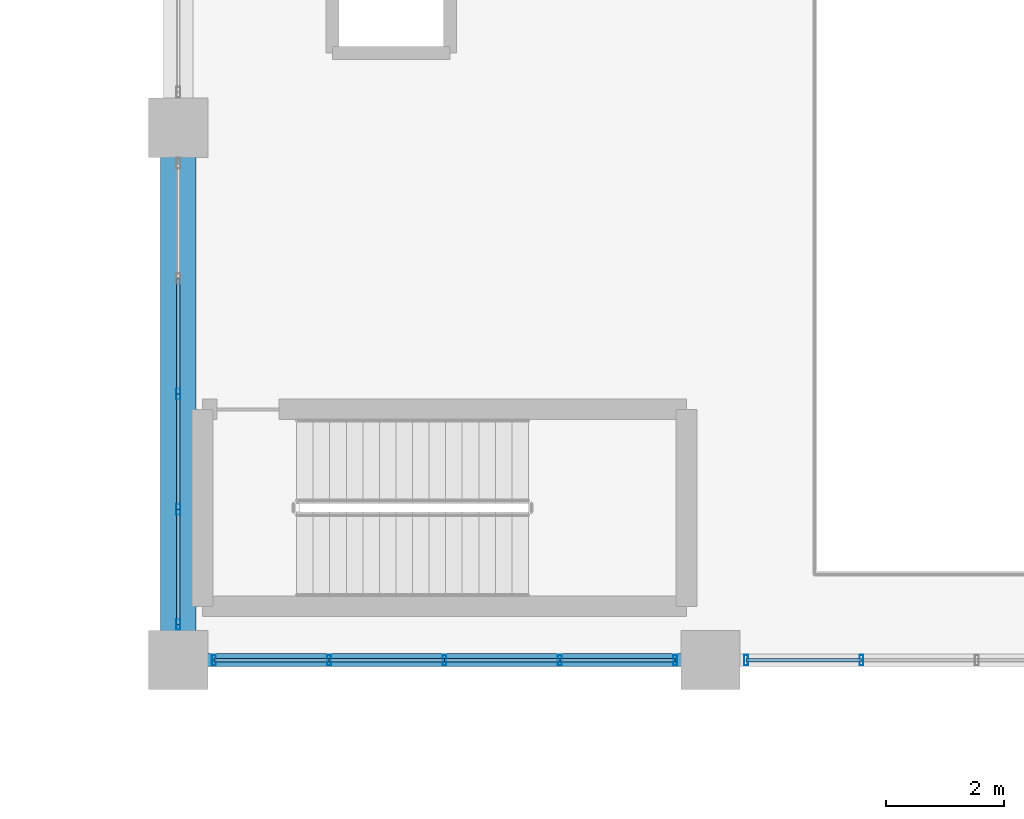
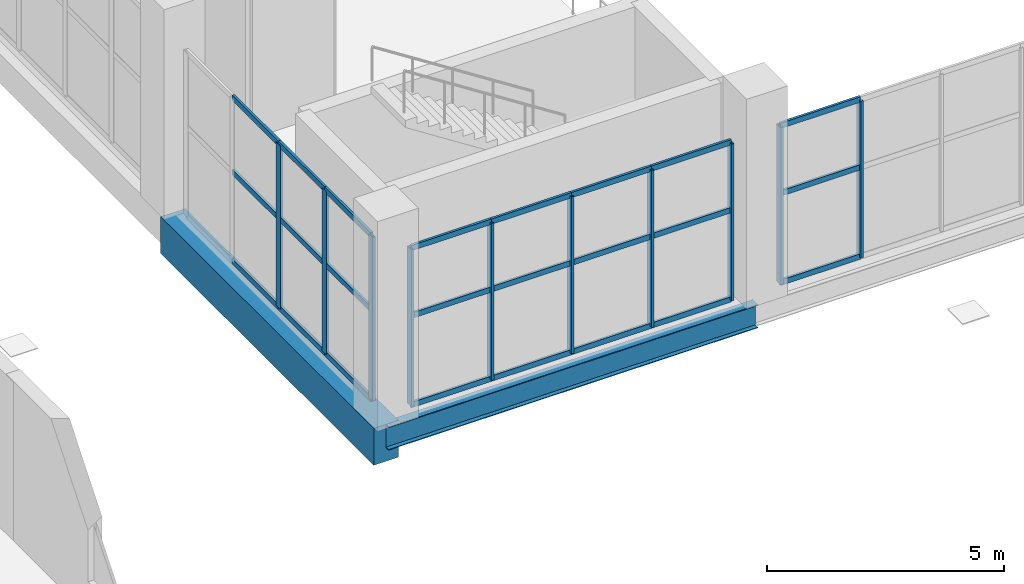
# One storey, part 14 of 147: 34 members, 2 beams, 3 elements without a shape of their own.
"""IFC4 building model written with IfcOpenShell, lengths in metres."""

from ifc_helpers import new_model, si_unit, direction, frame, origin, origin_2d, place, context, subcontext, project, spatial, rectangle, hollow_rectangle, i_section, extrude, material, layer, layer_set, material_profile, profile_set, type_object, element, aggregate, save


model = new_model("IFC4")

# Units and contexts
model_context = context("Model", 3, precision=1e-05, world=origin(), true_north=direction((0.0, 1.0)))
body_context = subcontext(model_context, "Body", "Model", "MODEL_VIEW")
ifc_project = project(units=[si_unit("LENGTHUNIT", "METRE"), si_unit("AREAUNIT", "SQUARE_METRE"), si_unit("VOLUMEUNIT", "CUBIC_METRE"), si_unit("PLANEANGLEUNIT", "RADIAN"), si_unit("MASSUNIT", "GRAM", prefix="KILO")], contexts=[model_context])

# Site, building, storey
site_placement = place(None, origin())
site = spatial("IfcSite", under=ifc_project, at=site_placement, CompositionType="ELEMENT")
building_placement = place(site_placement, origin())
building = spatial("IfcBuilding", under=site, at=building_placement, Name="Sundgate Opera House", CompositionType="ELEMENT")
storey_placement = place(building_placement, frame((0.0, 0.0, 6.0)))
storey = spatial("IfcBuildingStorey", under=building, at=storey_placement, Name="L01", CompositionType="ELEMENT", Elevation=6.0)

# Beams
ifc_material_1 = material(Name="Steel S355J2", Category="steel")
ifc_material_profile_1 = material_profile(ifc_material_1, i_section(OverallWidth=0.219970703125, OverallDepth=0.60009765625, WebThickness=0.011962890625, FlangeThickness=0.01904296875, at=origin_2d()), Name="IPE 600")
ifc_profile_set_1 = profile_set([ifc_material_profile_1], Name="Steel S355J2")
beam_type_1 = type_object("IfcBeamType", Name="BM-GR-IPE600", PredefinedType="BEAM", material=ifc_profile_set_1)
beam_1_placement = place(storey_placement, frame((36.0, 42.0, -0.60009765625), z_axis=(1.0, 0.0, 0.0), x_axis=(0.0, 1.0, 0.0)))
element("IfcBeam", 1, at=beam_1_placement, inside=storey, type_object=beam_type_1, Name="L01 Primary E-W Girder B1328", PredefinedType="BEAM", context=body_context, shape_type="SweptSolid", body=[
    extrude(i_section(OverallWidth=0.219970703125, OverallDepth=0.60009765625, WebThickness=0.011962890625, FlangeThickness=0.01904296875, at=origin_2d()), origin(), (0.0, 0.0, 1.0), 9.0),
])
ifc_material_2 = material(Name="Concrete C40/50", Category="concrete")
ifc_material_profile_2 = material_profile(ifc_material_2, rectangle(XDim=0.60009765625, YDim=0.949951171875, at=origin_2d()), Name="RC 600x950")
ifc_profile_set_2 = profile_set([ifc_material_profile_2], Name="Concrete C40/50")
beam_type_2 = type_object("IfcBeamType", Name="BM-RC-600x950", PredefinedType="BEAM", material=ifc_profile_set_2)
beam_2_placement = place(storey_placement, frame((36.0, 42.0, -0.77490234375), z_axis=(0.0, 1.0, 0.0), x_axis=(-1.0, 0.0, 0.0)))
element("IfcBeam", 2, at=beam_2_placement, inside=storey, type_object=beam_type_2, Name="L01 Primary N-S Girder B1111", PredefinedType="BEAM", context=body_context, shape_type="SweptSolid", body=[
    extrude(rectangle(XDim=0.60009765625, YDim=0.949951171875, at=origin_2d()), origin(), (0.0, 0.0, 1.0), 9.0),
])

# Curtain wall, members
ifc_material_3 = material(Name="Anodized aluminium and low-iron glass", Category="aluminium")
ifc_layer = layer(ifc_material_3, 0.179931640625)
ifc_layer_set = layer_set([ifc_layer], Name="Anodized aluminium and low-iron glass")
curtain_wall_type = type_object("IfcCurtainWallType", Name="CW-FOYER-GLASS", PredefinedType="NOTDEFINED", material=ifc_layer_set)
curtain_wall_1_placement = place(storey_placement, origin())
curtain_wall_1 = element("IfcCurtainWall", 3, at=curtain_wall_1_placement, inside=storey, type_object=curtain_wall_type, Name="L01 Curtain Wall CW011", PredefinedType="NOTDEFINED")
ifc_material_4 = material(Name="Anodized aluminium EN AW-6063", Category="aluminium")
ifc_material_profile_3 = material_profile(ifc_material_4, hollow_rectangle(XDim=0.06494140625, YDim=0.179931640625, WallThickness=0.00390625, at=origin_2d()), Name="CWM 180x65x4")
ifc_profile_set_3 = profile_set([ifc_material_profile_3], Name="Anodized aluminium EN AW-6063")
member_type_1 = type_object("IfcMemberType", Name="CWM-ALU-180x65", PredefinedType="MULLION", material=ifc_profile_set_3)
member_1_placement = place(storey_placement, frame((44.39990234375, 42.0, 0.0), z_axis=(0.0, 0.0, 1.0), x_axis=(1.0, 0.0, 0.0)))
member_1 = element("IfcMember", 4, at=member_1_placement, type_object=member_type_1, Name="CW011 Mullion 1", PredefinedType="MULLION", context=body_context, shape_type="SweptSolid", body=[
    extrude(hollow_rectangle(XDim=0.06494140625, YDim=0.179931640625, WallThickness=0.00390625, at=origin_2d()), origin(), (0.0, 0.0, 1.0), 4.044921875),
])
member_2_placement = place(storey_placement, frame((42.449951171875, 42.0, 0.0), z_axis=(0.0, 0.0, 1.0), x_axis=(1.0, 0.0, 0.0)))
member_2 = element("IfcMember", 5, at=member_2_placement, type_object=member_type_1, Name="CW011 Mullion 2", PredefinedType="MULLION", context=body_context, shape_type="SweptSolid", body=[
    extrude(hollow_rectangle(XDim=0.06494140625, YDim=0.179931640625, WallThickness=0.00390625, at=origin_2d()), origin(), (0.0, 0.0, 1.0), 4.044921875),
])
member_3_placement = place(storey_placement, frame((40.5, 42.0, 0.0), z_axis=(0.0, 0.0, 1.0), x_axis=(1.0, 0.0, 0.0)))
member_3 = element("IfcMember", 6, at=member_3_placement, type_object=member_type_1, Name="CW011 Mullion 3", PredefinedType="MULLION", context=body_context, shape_type="SweptSolid", body=[
    extrude(hollow_rectangle(XDim=0.06494140625, YDim=0.179931640625, WallThickness=0.00390625, at=origin_2d()), origin(), (0.0, 0.0, 1.0), 4.044921875),
])
member_4_placement = place(storey_placement, frame((38.550048828125, 42.0, 0.0), z_axis=(0.0, 0.0, 1.0), x_axis=(1.0, 0.0, 0.0)))
member_4 = element("IfcMember", 7, at=member_4_placement, type_object=member_type_1, Name="CW011 Mullion 4", PredefinedType="MULLION", context=body_context, shape_type="SweptSolid", body=[
    extrude(hollow_rectangle(XDim=0.06494140625, YDim=0.179931640625, WallThickness=0.00390625, at=origin_2d()), origin(), (0.0, 0.0, 1.0), 4.044921875),
])
member_5_placement = place(storey_placement, frame((36.60009765625, 42.0, 0.0), z_axis=(0.0, 0.0, 1.0), x_axis=(1.0, 0.0, 0.0)))
member_5 = element("IfcMember", 8, at=member_5_placement, type_object=member_type_1, Name="CW011 Mullion 5", PredefinedType="MULLION", context=body_context, shape_type="SweptSolid", body=[
    extrude(hollow_rectangle(XDim=0.06494140625, YDim=0.179931640625, WallThickness=0.00390625, at=origin_2d()), origin(), (0.0, 0.0, 1.0), 4.044921875),
])

curtain_wall_2_placement = place(storey_placement, origin())
curtain_wall_2 = element("IfcCurtainWall", 9, at=curtain_wall_2_placement, inside=storey, type_object=curtain_wall_type, Name="L01 Curtain Wall CW012", PredefinedType="NOTDEFINED")
member_6_placement = place(storey_placement, frame((47.550048828125, 42.0, 0.0), z_axis=(0.0, 0.0, 1.0), x_axis=(1.0, 0.0, 0.0)))
member_6 = element("IfcMember", 10, at=member_6_placement, type_object=member_type_1, Name="CW012 Mullion 4", PredefinedType="MULLION", context=body_context, shape_type="SweptSolid", body=[
    extrude(hollow_rectangle(XDim=0.06494140625, YDim=0.179931640625, WallThickness=0.00390625, at=origin_2d()), origin(), (0.0, 0.0, 1.0), 4.044921875),
])
member_7_placement = place(storey_placement, frame((45.60009765625, 42.0, 0.0), z_axis=(0.0, 0.0, 1.0), x_axis=(1.0, 0.0, 0.0)))
member_7 = element("IfcMember", 11, at=member_7_placement, type_object=member_type_1, Name="CW012 Mullion 5", PredefinedType="MULLION", context=body_context, shape_type="SweptSolid", body=[
    extrude(hollow_rectangle(XDim=0.06494140625, YDim=0.179931640625, WallThickness=0.00390625, at=origin_2d()), origin(), (0.0, 0.0, 1.0), 4.044921875),
])

curtain_wall_3_placement = place(storey_placement, origin())
curtain_wall_3 = element("IfcCurtainWall", 12, at=curtain_wall_3_placement, inside=storey, type_object=curtain_wall_type, Name="L01 Curtain Wall CW019", PredefinedType="NOTDEFINED")
member_8_placement = place(storey_placement, frame((36.0, 46.5, 0.0), z_axis=(0.0, 0.0, 1.0), x_axis=(1.0, 0.0, 0.0)))
member_8 = element("IfcMember", 13, at=member_8_placement, type_object=member_type_1, Name="CW019 Mullion 3", PredefinedType="MULLION", context=body_context, shape_type="SweptSolid", body=[
    extrude(hollow_rectangle(XDim=0.06494140625, YDim=0.179931640625, WallThickness=0.00390625, at=origin_2d()), origin(), (0.0, 0.0, 1.0), 4.215087890625),
])
member_9_placement = place(storey_placement, frame((36.0, 44.550048828125, 0.0), z_axis=(0.0, 0.0, 1.0), x_axis=(1.0, 0.0, 0.0)))
member_9 = element("IfcMember", 14, at=member_9_placement, type_object=member_type_1, Name="CW019 Mullion 4", PredefinedType="MULLION", context=body_context, shape_type="SweptSolid", body=[
    extrude(hollow_rectangle(XDim=0.06494140625, YDim=0.179931640625, WallThickness=0.00390625, at=origin_2d()), origin(), (0.0, 0.0, 1.0), 4.215087890625),
])
member_10_placement = place(storey_placement, frame((36.0, 42.60009765625, 0.0), z_axis=(0.0, 0.0, 1.0), x_axis=(1.0, 0.0, 0.0)))
member_10 = element("IfcMember", 15, at=member_10_placement, type_object=member_type_1, Name="CW019 Mullion 5", PredefinedType="MULLION", context=body_context, shape_type="SweptSolid", body=[
    extrude(hollow_rectangle(XDim=0.06494140625, YDim=0.179931640625, WallThickness=0.00390625, at=origin_2d()), origin(), (0.0, 0.0, 1.0), 4.215087890625),
])

# Member
ifc_material_5 = material(Name="Anodized aluminium EN AW-6063", Category="aluminium")
ifc_material_profile_4 = material_profile(ifc_material_5, hollow_rectangle(XDim=0.06005859375, YDim=0.139892578125, WallThickness=0.00390625, at=origin_2d()), Name="CWT 140x60x4")
ifc_profile_set_4 = profile_set([ifc_material_profile_4], Name="Anodized aluminium EN AW-6063")
member_type_2 = type_object("IfcMemberType", Name="CWT-ALU-140x60", PredefinedType="USERDEFINED", material=ifc_profile_set_4)
member_11_placement = place(storey_placement, frame((44.39990234375, 42.0, 0.0), z_axis=(-1.0, 0.0, 0.0), x_axis=(0.0, -1.0, 0.0)))
member_11 = element("IfcMember", 16, at=member_11_placement, type_object=member_type_2, Name="CW011 Transom 1", ObjectType="TRANSOM", PredefinedType="USERDEFINED", context=body_context, shape_type="SweptSolid", body=[
    extrude(hollow_rectangle(XDim=0.06005859375, YDim=0.139892578125, WallThickness=0.00390625, at=origin_2d()), origin(), (0.0, 0.0, 1.0), 1.949951171875),
])

member_12_placement = place(storey_placement, frame((44.39990234375, 42.0, 2.300048828125), z_axis=(-1.0, 0.0, 0.0), x_axis=(0.0, -1.0, 0.0)))
member_12 = element("IfcMember", 17, at=member_12_placement, type_object=member_type_2, Name="CW011 Transom 2", ObjectType="TRANSOM", PredefinedType="USERDEFINED", context=body_context, shape_type="SweptSolid", body=[
    extrude(hollow_rectangle(XDim=0.06005859375, YDim=0.139892578125, WallThickness=0.00390625, at=origin_2d()), origin(), (0.0, 0.0, 1.0), 1.949951171875),
])

member_13_placement = place(storey_placement, frame((44.39990234375, 42.0, 4.044921875), z_axis=(-1.0, 0.0, 0.0), x_axis=(0.0, -1.0, 0.0)))
member_13 = element("IfcMember", 18, at=member_13_placement, type_object=member_type_2, Name="CW011 Transom 3", ObjectType="TRANSOM", PredefinedType="USERDEFINED", context=body_context, shape_type="SweptSolid", body=[
    extrude(hollow_rectangle(XDim=0.06005859375, YDim=0.139892578125, WallThickness=0.00390625, at=origin_2d()), origin(), (0.0, 0.0, 1.0), 1.949951171875),
])

member_14_placement = place(storey_placement, frame((42.449951171875, 42.0, 0.0), z_axis=(-1.0, 0.0, 0.0), x_axis=(0.0, -1.0, 0.0)))
member_14 = element("IfcMember", 19, at=member_14_placement, type_object=member_type_2, Name="CW011 Transom 4", ObjectType="TRANSOM", PredefinedType="USERDEFINED", context=body_context, shape_type="SweptSolid", body=[
    extrude(hollow_rectangle(XDim=0.06005859375, YDim=0.139892578125, WallThickness=0.00390625, at=origin_2d()), origin(), (0.0, 0.0, 1.0), 1.949951171875),
])

member_15_placement = place(storey_placement, frame((42.449951171875, 42.0, 2.300048828125), z_axis=(-1.0, 0.0, 0.0), x_axis=(0.0, -1.0, 0.0)))
member_15 = element("IfcMember", 20, at=member_15_placement, type_object=member_type_2, Name="CW011 Transom 5", ObjectType="TRANSOM", PredefinedType="USERDEFINED", context=body_context, shape_type="SweptSolid", body=[
    extrude(hollow_rectangle(XDim=0.06005859375, YDim=0.139892578125, WallThickness=0.00390625, at=origin_2d()), origin(), (0.0, 0.0, 1.0), 1.949951171875),
])

member_16_placement = place(storey_placement, frame((42.449951171875, 42.0, 4.044921875), z_axis=(-1.0, 0.0, 0.0), x_axis=(0.0, -1.0, 0.0)))
member_16 = element("IfcMember", 21, at=member_16_placement, type_object=member_type_2, Name="CW011 Transom 6", ObjectType="TRANSOM", PredefinedType="USERDEFINED", context=body_context, shape_type="SweptSolid", body=[
    extrude(hollow_rectangle(XDim=0.06005859375, YDim=0.139892578125, WallThickness=0.00390625, at=origin_2d()), origin(), (0.0, 0.0, 1.0), 1.949951171875),
])

member_17_placement = place(storey_placement, frame((40.5, 42.0, 0.0), z_axis=(-1.0, 0.0, 0.0), x_axis=(0.0, -1.0, 0.0)))
member_17 = element("IfcMember", 22, at=member_17_placement, type_object=member_type_2, Name="CW011 Transom 7", ObjectType="TRANSOM", PredefinedType="USERDEFINED", context=body_context, shape_type="SweptSolid", body=[
    extrude(hollow_rectangle(XDim=0.06005859375, YDim=0.139892578125, WallThickness=0.00390625, at=origin_2d()), origin(), (0.0, 0.0, 1.0), 1.949951171875),
])

member_18_placement = place(storey_placement, frame((40.5, 42.0, 2.300048828125), z_axis=(-1.0, 0.0, 0.0), x_axis=(0.0, -1.0, 0.0)))
member_18 = element("IfcMember", 23, at=member_18_placement, type_object=member_type_2, Name="CW011 Transom 8", ObjectType="TRANSOM", PredefinedType="USERDEFINED", context=body_context, shape_type="SweptSolid", body=[
    extrude(hollow_rectangle(XDim=0.06005859375, YDim=0.139892578125, WallThickness=0.00390625, at=origin_2d()), origin(), (0.0, 0.0, 1.0), 1.949951171875),
])

member_19_placement = place(storey_placement, frame((40.5, 42.0, 4.044921875), z_axis=(-1.0, 0.0, 0.0), x_axis=(0.0, -1.0, 0.0)))
member_19 = element("IfcMember", 24, at=member_19_placement, type_object=member_type_2, Name="CW011 Transom 9", ObjectType="TRANSOM", PredefinedType="USERDEFINED", context=body_context, shape_type="SweptSolid", body=[
    extrude(hollow_rectangle(XDim=0.06005859375, YDim=0.139892578125, WallThickness=0.00390625, at=origin_2d()), origin(), (0.0, 0.0, 1.0), 1.949951171875),
])

member_20_placement = place(storey_placement, frame((38.550048828125, 42.0, 0.0), z_axis=(-1.0, 0.0, 0.0), x_axis=(0.0, -1.0, 0.0)))
member_20 = element("IfcMember", 25, at=member_20_placement, type_object=member_type_2, Name="CW011 Transom 10", ObjectType="TRANSOM", PredefinedType="USERDEFINED", context=body_context, shape_type="SweptSolid", body=[
    extrude(hollow_rectangle(XDim=0.06005859375, YDim=0.139892578125, WallThickness=0.00390625, at=origin_2d()), origin(), (0.0, 0.0, 1.0), 1.949951171875),
])

member_21_placement = place(storey_placement, frame((38.550048828125, 42.0, 2.300048828125), z_axis=(-1.0, 0.0, 0.0), x_axis=(0.0, -1.0, 0.0)))
member_21 = element("IfcMember", 26, at=member_21_placement, type_object=member_type_2, Name="CW011 Transom 11", ObjectType="TRANSOM", PredefinedType="USERDEFINED", context=body_context, shape_type="SweptSolid", body=[
    extrude(hollow_rectangle(XDim=0.06005859375, YDim=0.139892578125, WallThickness=0.00390625, at=origin_2d()), origin(), (0.0, 0.0, 1.0), 1.949951171875),
])

member_22_placement = place(storey_placement, frame((38.550048828125, 42.0, 4.044921875), z_axis=(-1.0, 0.0, 0.0), x_axis=(0.0, -1.0, 0.0)))
member_22 = element("IfcMember", 27, at=member_22_placement, type_object=member_type_2, Name="CW011 Transom 12", ObjectType="TRANSOM", PredefinedType="USERDEFINED", context=body_context, shape_type="SweptSolid", body=[
    extrude(hollow_rectangle(XDim=0.06005859375, YDim=0.139892578125, WallThickness=0.00390625, at=origin_2d()), origin(), (0.0, 0.0, 1.0), 1.949951171875),
])

aggregate(curtain_wall_1, [member_1, member_2, member_3, member_4, member_5, member_11, member_12, member_13, member_14, member_15, member_16, member_17, member_18, member_19, member_20, member_21, member_22])

member_23_placement = place(storey_placement, frame((47.550048828125, 42.0, 0.0), z_axis=(-1.0, 0.0, 0.0), x_axis=(0.0, -1.0, 0.0)))
member_23 = element("IfcMember", 28, at=member_23_placement, type_object=member_type_2, Name="CW012 Transom 10", ObjectType="TRANSOM", PredefinedType="USERDEFINED", context=body_context, shape_type="SweptSolid", body=[
    extrude(hollow_rectangle(XDim=0.06005859375, YDim=0.139892578125, WallThickness=0.00390625, at=origin_2d()), origin(), (0.0, 0.0, 1.0), 1.949951171875),
])

member_24_placement = place(storey_placement, frame((47.550048828125, 42.0, 2.300048828125), z_axis=(-1.0, 0.0, 0.0), x_axis=(0.0, -1.0, 0.0)))
member_24 = element("IfcMember", 29, at=member_24_placement, type_object=member_type_2, Name="CW012 Transom 11", ObjectType="TRANSOM", PredefinedType="USERDEFINED", context=body_context, shape_type="SweptSolid", body=[
    extrude(hollow_rectangle(XDim=0.06005859375, YDim=0.139892578125, WallThickness=0.00390625, at=origin_2d()), origin(), (0.0, 0.0, 1.0), 1.949951171875),
])

member_25_placement = place(storey_placement, frame((47.550048828125, 42.0, 4.044921875), z_axis=(-1.0, 0.0, 0.0), x_axis=(0.0, -1.0, 0.0)))
member_25 = element("IfcMember", 30, at=member_25_placement, type_object=member_type_2, Name="CW012 Transom 12", ObjectType="TRANSOM", PredefinedType="USERDEFINED", context=body_context, shape_type="SweptSolid", body=[
    extrude(hollow_rectangle(XDim=0.06005859375, YDim=0.139892578125, WallThickness=0.00390625, at=origin_2d()), origin(), (0.0, 0.0, 1.0), 1.949951171875),
])

aggregate(curtain_wall_2, [member_6, member_7, member_23, member_24, member_25])

member_26_placement = place(storey_placement, frame((36.0, 48.449951171875, 0.0), z_axis=(0.0, -1.0, 0.0), x_axis=(1.0, 0.0, 0.0)))
member_26 = element("IfcMember", 31, at=member_26_placement, type_object=member_type_2, Name="CW019 Transom 4", ObjectType="TRANSOM", PredefinedType="USERDEFINED", context=body_context, shape_type="SweptSolid", body=[
    extrude(hollow_rectangle(XDim=0.06005859375, YDim=0.139892578125, WallThickness=0.00390625, at=origin_2d()), origin(), (0.0, 0.0, 1.0), 1.949951171875),
])

member_27_placement = place(storey_placement, frame((36.0, 48.449951171875, 2.300048828125), z_axis=(0.0, -1.0, 0.0), x_axis=(1.0, 0.0, 0.0)))
member_27 = element("IfcMember", 32, at=member_27_placement, type_object=member_type_2, Name="CW019 Transom 5", ObjectType="TRANSOM", PredefinedType="USERDEFINED", context=body_context, shape_type="SweptSolid", body=[
    extrude(hollow_rectangle(XDim=0.06005859375, YDim=0.139892578125, WallThickness=0.00390625, at=origin_2d()), origin(), (0.0, 0.0, 1.0), 1.949951171875),
])

member_28_placement = place(storey_placement, frame((36.0, 48.449951171875, 4.215087890625), z_axis=(0.0, -1.0, 0.0), x_axis=(1.0, 0.0, 0.0)))
member_28 = element("IfcMember", 33, at=member_28_placement, type_object=member_type_2, Name="CW019 Transom 6", ObjectType="TRANSOM", PredefinedType="USERDEFINED", context=body_context, shape_type="SweptSolid", body=[
    extrude(hollow_rectangle(XDim=0.06005859375, YDim=0.139892578125, WallThickness=0.00390625, at=origin_2d()), origin(), (0.0, 0.0, 1.0), 1.949951171875),
])

member_29_placement = place(storey_placement, frame((36.0, 46.5, 0.0), z_axis=(0.0, -1.0, 0.0), x_axis=(1.0, 0.0, 0.0)))
member_29 = element("IfcMember", 34, at=member_29_placement, type_object=member_type_2, Name="CW019 Transom 7", ObjectType="TRANSOM", PredefinedType="USERDEFINED", context=body_context, shape_type="SweptSolid", body=[
    extrude(hollow_rectangle(XDim=0.06005859375, YDim=0.139892578125, WallThickness=0.00390625, at=origin_2d()), origin(), (0.0, 0.0, 1.0), 1.949951171875),
])

member_30_placement = place(storey_placement, frame((36.0, 46.5, 2.300048828125), z_axis=(0.0, -1.0, 0.0), x_axis=(1.0, 0.0, 0.0)))
member_30 = element("IfcMember", 35, at=member_30_placement, type_object=member_type_2, Name="CW019 Transom 8", ObjectType="TRANSOM", PredefinedType="USERDEFINED", context=body_context, shape_type="SweptSolid", body=[
    extrude(hollow_rectangle(XDim=0.06005859375, YDim=0.139892578125, WallThickness=0.00390625, at=origin_2d()), origin(), (0.0, 0.0, 1.0), 1.949951171875),
])

member_31_placement = place(storey_placement, frame((36.0, 46.5, 4.215087890625), z_axis=(0.0, -1.0, 0.0), x_axis=(1.0, 0.0, 0.0)))
member_31 = element("IfcMember", 36, at=member_31_placement, type_object=member_type_2, Name="CW019 Transom 9", ObjectType="TRANSOM", PredefinedType="USERDEFINED", context=body_context, shape_type="SweptSolid", body=[
    extrude(hollow_rectangle(XDim=0.06005859375, YDim=0.139892578125, WallThickness=0.00390625, at=origin_2d()), origin(), (0.0, 0.0, 1.0), 1.949951171875),
])

member_32_placement = place(storey_placement, frame((36.0, 44.550048828125, 0.0), z_axis=(0.0, -1.0, 0.0), x_axis=(1.0, 0.0, 0.0)))
member_32 = element("IfcMember", 37, at=member_32_placement, type_object=member_type_2, Name="CW019 Transom 10", ObjectType="TRANSOM", PredefinedType="USERDEFINED", context=body_context, shape_type="SweptSolid", body=[
    extrude(hollow_rectangle(XDim=0.06005859375, YDim=0.139892578125, WallThickness=0.00390625, at=origin_2d()), origin(), (0.0, 0.0, 1.0), 1.949951171875),
])

member_33_placement = place(storey_placement, frame((36.0, 44.550048828125, 2.300048828125), z_axis=(0.0, -1.0, 0.0), x_axis=(1.0, 0.0, 0.0)))
member_33 = element("IfcMember", 38, at=member_33_placement, type_object=member_type_2, Name="CW019 Transom 11", ObjectType="TRANSOM", PredefinedType="USERDEFINED", context=body_context, shape_type="SweptSolid", body=[
    extrude(hollow_rectangle(XDim=0.06005859375, YDim=0.139892578125, WallThickness=0.00390625, at=origin_2d()), origin(), (0.0, 0.0, 1.0), 1.949951171875),
])

member_34_placement = place(storey_placement, frame((36.0, 44.550048828125, 4.215087890625), z_axis=(0.0, -1.0, 0.0), x_axis=(1.0, 0.0, 0.0)))
member_34 = element("IfcMember", 39, at=member_34_placement, type_object=member_type_2, Name="CW019 Transom 12", ObjectType="TRANSOM", PredefinedType="USERDEFINED", context=body_context, shape_type="SweptSolid", body=[
    extrude(hollow_rectangle(XDim=0.06005859375, YDim=0.139892578125, WallThickness=0.00390625, at=origin_2d()), origin(), (0.0, 0.0, 1.0), 1.949951171875),
])

aggregate(curtain_wall_3, [member_8, member_9, member_10, member_26, member_27, member_28, member_29, member_30, member_31, member_32, member_33, member_34])

save(model, "model.ifc")
